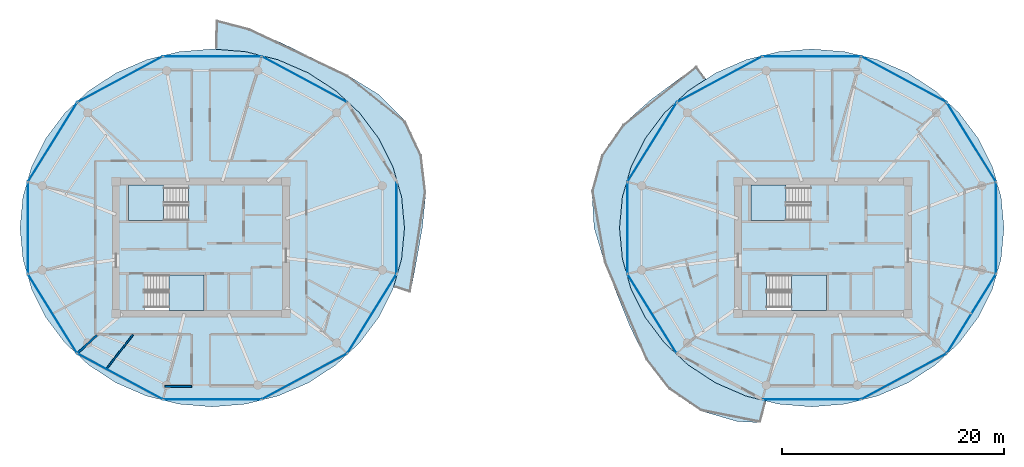
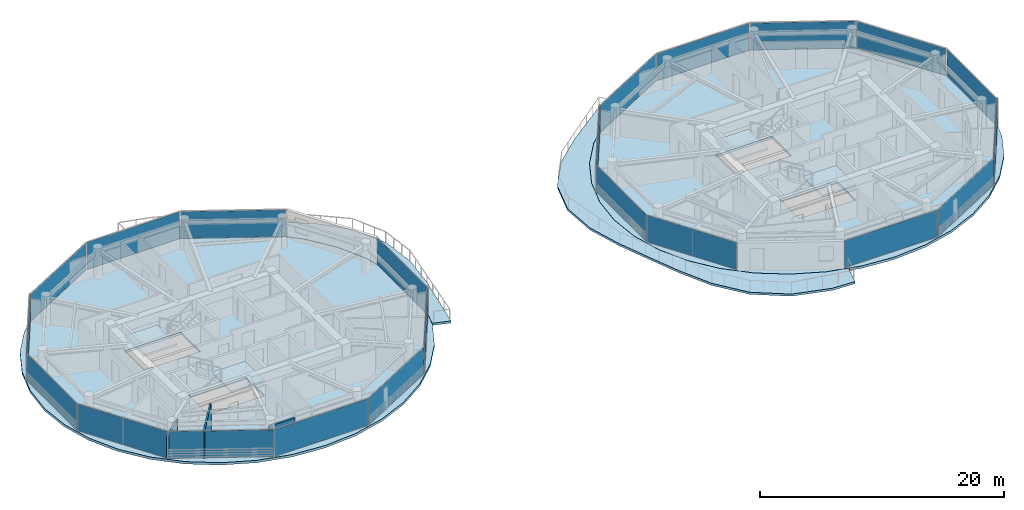
# One storey, part 12 of 21: 22 plates, 8 slabs, 3 walls, 26 elements without a shape of their own.
"""IFC4 building model written with IfcOpenShell, lengths in metres."""

from ifc_helpers import new_model, si_unit, direction, frame, frame_2d, origin, origin_2d, place, context, subcontext, project, spatial, polyline, rectangle, outline, extrude, source, transform, mapped, material, layer, layer_set, type_object, type_shapes, element, aggregate, save


model = new_model("IFC4")

# Units and contexts
model_context = context("Model", 3, precision=1e-05, world=origin(), true_north=direction((0.0, 1.0)))
body_context = subcontext(model_context, "Body", "Model", "MODEL_VIEW")
ifc_project = project(units=[si_unit("LENGTHUNIT", "METRE"), si_unit("AREAUNIT", "SQUARE_METRE"), si_unit("VOLUMEUNIT", "CUBIC_METRE"), si_unit("PLANEANGLEUNIT", "RADIAN"), si_unit("MASSUNIT", "GRAM", prefix="KILO")], contexts=[model_context])

# Site, building, storey
site_placement = place(None, origin())
site = spatial("IfcSite", under=ifc_project, at=site_placement, CompositionType="ELEMENT")
building_placement = place(site_placement, origin())
building = spatial("IfcBuilding", under=site, at=building_placement, Name="Norrkilde Senior Care Towers", CompositionType="ELEMENT")
storey_placement = place(building_placement, frame((0.0, 0.0, 140.39990234375)))
storey = spatial("IfcBuildingStorey", under=building, at=storey_placement, Name="L43", CompositionType="ELEMENT", Elevation=140.39990234375)

# Slabs
ifc_material_1 = material(Name="Concrete C50/60", Category="concrete")
ifc_layer_1 = layer(ifc_material_1, 0.215087890625)
ifc_layer_set_1 = layer_set([ifc_layer_1], Name="Concrete C50/60")
slab_type_1 = type_object("IfcSlabType", Name="Sinusoidal Balcony Ribbon Slab 215", PredefinedType="FLOOR", material=ifc_layer_set_1)
slab_1_placement = place(storey_placement, frame((0.0, 0.0, -0.21484375)))
element("IfcSlab", 1, at=slab_1_placement, inside=storey, type_object=slab_type_1, Name="L43 Drum W Swirling Senior Balcony 1", PredefinedType="FLOOR", context=body_context, shape_type="SweptSolid", body=[
    extrude(outline(polyline([(-10.66162109375, -3.552490234375), (-9.932861328125, -1.021240234375), (-9.669921875, 1.775390625), (-9.932861328125, 4.572021484375), (-10.713623046875, 7.28369140625), (-11.988525390625, 9.827880859375), (-13.718505859375, 12.12744140625), (-15.8515625, 14.112548828125), (-18.322509765625, 15.72265625), (-21.056396484375, 16.9091796875), (-23.969970703125, 17.6357421875), (-26.678955078125, 17.856201171875), (-26.630615234375, 20.486083984375), (-23.631103515625, 19.700927734375), (-20.572265625, 18.338623046875), (-17.677978515625, 16.922607421875), (-14.770751953125, 15.496826171875), (-11.9287109375, 13.74169921875), (-9.560791015625, 11.334228515625), (-8.127197265625, 8.295166015625), (-7.743896484375, 4.98681640625), (-8.068603515625, 1.775390625), (-8.61083984375, -1.271728515625), (-9.13134765625, -4.05224609375), (-10.66162109375, -3.552490234375)])), origin(), (0.0, 0.0, 1.0), 0.21484375),
])
slab_2_placement = place(storey_placement, frame((0.0, 0.0, -0.21484375)))
element("IfcSlab", 2, at=slab_2_placement, inside=storey, type_object=slab_type_1, Name="L43 Drum E Swirling Senior Balcony 1", PredefinedType="FLOOR", context=body_context, shape_type="SweptSolid", body=[
    extrude(outline(polyline([(16.970458984375, -14.68896484375), (14.142333984375, -12.750732421875), (12.064208984375, -10.06884765625), (10.627685546875, -7.12158203125), (9.460693359375, -4.22314453125), (8.31884765625, -1.3271484375), (7.388916015625, 1.775390625), (7.177734375, 5.093994140625), (8.070068359375, 8.317626953125), (9.9833984375, 11.07177734375), (12.44921875, 13.272216796875), (15.019287109375, 15.1787109375), (16.607421875, 16.354248046875), (17.45751953125, 15.158935546875), (15.8515625, 14.112548828125), (13.718505859375, 12.12744140625), (11.988525390625, 9.827880859375), (10.713623046875, 7.28369140625), (9.932861328125, 4.572021484375), (9.669921875, 1.775390625), (9.932861328125, -1.021240234375), (10.713623046875, -3.73291015625), (11.988525390625, -6.277099609375), (13.718505859375, -8.57666015625), (15.8515625, -10.561767578125), (18.322509765625, -12.171875), (21.056396484375, -13.3583984375), (22.87744140625, -13.8125), (22.368408203125, -15.74951171875), (20.283203125, -15.641357421875), (16.970458984375, -14.68896484375)])), origin(), (0.0, 0.0, 1.0), 0.21484375),
])

# Stair, slab
ifc_material_2 = material(Name="Concrete C45/55", Category="concrete")
stair_type = type_object("IfcStairType", Name="Core Protected Dogleg Stair Typical 3050", PredefinedType="HALF_TURN_STAIR", material=ifc_material_2)
stair_1_placement = place(storey_placement, origin())
stair_1 = element("IfcStair", 3, at=stair_1_placement, inside=storey, type_object=stair_type, Name="L43 Protected Core Stair W1", PredefinedType="HALF_TURN_STAIR")
ifc_layer_2 = layer(ifc_material_2, 0.199951171875)
ifc_layer_set_2 = layer_set([ifc_layer_2], Name="Concrete C45/55")
slab_type_2 = type_object("IfcSlabType", Name="Stair Landing Slab 200", PredefinedType="LANDING", material=ifc_layer_set_2)
slab_3_placement = place(storey_placement, frame((0.0, 0.0, 1.3251953125)))
slab_3 = element("IfcSlab", 4, at=slab_3_placement, type_object=slab_type_2, Name="ST-W1 landing 1", PredefinedType="LANDING", context=body_context, shape_type="SweptSolid", body=[
    extrude(outline(polyline([(-31.340087890625, 5.639892578125), (-34.5, 5.639892578125), (-34.5, 2.449951171875), (-31.340087890625, 2.449951171875), (-31.340087890625, 5.639892578125)])), origin(), (0.0, 0.0, 1.0), 0.199951171875),
])
aggregate(stair_1, [slab_3])

stair_2_placement = place(storey_placement, origin())
stair_2 = element("IfcStair", 5, at=stair_2_placement, inside=storey, type_object=stair_type, Name="L43 Protected Core Stair W2", PredefinedType="HALF_TURN_STAIR")
slab_4_placement = place(storey_placement, frame((0.0, 0.0, 1.3251953125)))
slab_4 = element("IfcSlab", 6, at=slab_4_placement, type_object=slab_type_2, Name="ST-W2 landing 1", PredefinedType="LANDING", context=body_context, shape_type="SweptSolid", body=[
    extrude(outline(polyline([(-30.860107421875, -5.639892578125), (-27.699951171875, -5.639892578125), (-27.699951171875, -2.449951171875), (-30.860107421875, -2.449951171875), (-30.860107421875, -5.639892578125)])), origin(), (0.0, 0.0, 1.0), 0.199951171875),
])
aggregate(stair_2, [slab_4])

stair_3_placement = place(storey_placement, origin())
stair_3 = element("IfcStair", 7, at=stair_3_placement, inside=storey, type_object=stair_type, Name="L43 Protected Core Stair E1", PredefinedType="HALF_TURN_STAIR")
slab_5_placement = place(storey_placement, frame((0.0, 0.0, 1.3251953125)))
slab_5 = element("IfcSlab", 8, at=slab_5_placement, type_object=slab_type_2, Name="ST-E1 landing 1", PredefinedType="LANDING", context=body_context, shape_type="SweptSolid", body=[
    extrude(outline(polyline([(24.659912109375, 5.639892578125), (21.5, 5.639892578125), (21.5, 2.449951171875), (24.659912109375, 2.449951171875), (24.659912109375, 5.639892578125)])), origin(), (0.0, 0.0, 1.0), 0.199951171875),
])
aggregate(stair_3, [slab_5])

stair_4_placement = place(storey_placement, origin())
stair_4 = element("IfcStair", 9, at=stair_4_placement, inside=storey, type_object=stair_type, Name="L43 Protected Core Stair E2", PredefinedType="HALF_TURN_STAIR")
slab_6_placement = place(storey_placement, frame((0.0, 0.0, 1.3251953125)))
slab_6 = element("IfcSlab", 10, at=slab_6_placement, type_object=slab_type_2, Name="ST-E2 landing 1", PredefinedType="LANDING", context=body_context, shape_type="SweptSolid", body=[
    extrude(outline(polyline([(25.139892578125, -5.639892578125), (28.300048828125, -5.639892578125), (28.300048828125, -2.449951171875), (25.139892578125, -2.449951171875), (25.139892578125, -5.639892578125)])), origin(), (0.0, 0.0, 1.0), 0.199951171875),
])
aggregate(stair_4, [slab_6])

# Slabs
ifc_layer_3 = layer(ifc_material_1, 0.239990234375)
ifc_layer_set_3 = layer_set([ifc_layer_3], Name="Concrete C50/60")
slab_type_3 = type_object("IfcSlabType", Name="Tower Residence Floor Slab 240", PredefinedType="FLOOR", material=ifc_layer_set_3)
slab_7_placement = place(storey_placement, frame((0.0, 0.0, -0.239990234375)))
element("IfcSlab", 11, at=slab_7_placement, inside=storey, type_object=slab_type_3, Name="L43 Drum W Structural Floor Slab", PredefinedType="FLOOR", context=body_context, shape_type="SweptSolid", body=[
    extrude(outline(polyline([(-10.71826171875, -3.731201171875), (-11.99267578125, -6.274658203125), (-13.722412109375, -8.573486328125), (-15.854736328125, -10.557861328125), (-18.324951171875, -12.167724609375), (-21.05810546875, -13.353759765625), (-23.970947265625, -14.080078125), (-26.97509765625, -14.32470703125), (-29.97900390625, -14.080078125), (-32.891845703125, -13.353759765625), (-35.625, -12.167724609375), (-38.09521484375, -10.557861328125), (-40.2275390625, -8.573486328125), (-41.957275390625, -6.274658203125), (-43.231689453125, -3.731201171875), (-44.01220703125, -1.020263671875), (-44.27490234375, 1.775390625), (-44.01220703125, 4.571044921875), (-43.231689453125, 7.281982421875), (-41.957275390625, 9.825439453125), (-40.2275390625, 12.124267578125), (-38.09521484375, 14.108642578125), (-35.625, 15.71826171875), (-32.891845703125, 16.904296875), (-29.97900390625, 17.630859375), (-26.97509765625, 17.875244140625), (-23.970947265625, 17.630859375), (-21.05810546875, 16.904296875), (-18.324951171875, 15.71826171875), (-15.854736328125, 14.108642578125), (-13.722412109375, 12.124267578125), (-11.99267578125, 9.825439453125), (-10.71826171875, 7.281982421875), (-9.937744140625, 4.571044921875), (-9.675048828125, 1.775390625), (-9.937744140625, -1.020263671875), (-10.71826171875, -3.731201171875)]), holes=[polyline([(-34.48193359375, 2.468017578125), (-29.117919921875, 2.468017578125), (-29.117919921875, 5.639892578125), (-34.48193359375, 5.639892578125), (-34.48193359375, 2.468017578125)]), polyline([(-27.718017578125, -5.639892578125), (-27.718017578125, -2.468017578125), (-33.08203125, -2.468017578125), (-33.08203125, -5.639892578125), (-27.718017578125, -5.639892578125)])]), origin(), (0.0, 0.0, 1.0), 0.239990234375),
])
slab_8_placement = place(storey_placement, frame((0.0, 0.0, -0.239990234375)))
element("IfcSlab", 12, at=slab_8_placement, inside=storey, type_object=slab_type_3, Name="L43 Drum E Structural Floor Slab", PredefinedType="FLOOR", context=body_context, shape_type="SweptSolid", body=[
    extrude(outline(polyline([(43.231689453125, -3.731201171875), (41.957275390625, -6.274658203125), (40.2275390625, -8.573486328125), (38.09521484375, -10.557861328125), (35.625, -12.167724609375), (32.891845703125, -13.353759765625), (29.97900390625, -14.080078125), (26.97509765625, -14.32470703125), (23.970947265625, -14.080078125), (21.05810546875, -13.353759765625), (18.324951171875, -12.167724609375), (15.854736328125, -10.557861328125), (13.722412109375, -8.573486328125), (11.99267578125, -6.274658203125), (10.71826171875, -3.731201171875), (9.937744140625, -1.020263671875), (9.675048828125, 1.775390625), (9.937744140625, 4.571044921875), (10.71826171875, 7.281982421875), (11.99267578125, 9.825439453125), (13.722412109375, 12.124267578125), (15.854736328125, 14.108642578125), (18.324951171875, 15.71826171875), (21.05810546875, 16.904296875), (23.970947265625, 17.630859375), (26.97509765625, 17.875244140625), (29.97900390625, 17.630859375), (32.891845703125, 16.904296875), (35.625, 15.71826171875), (38.09521484375, 14.108642578125), (40.2275390625, 12.124267578125), (41.957275390625, 9.825439453125), (43.231689453125, 7.281982421875), (44.01220703125, 4.571044921875), (44.27490234375, 1.775390625), (44.01220703125, -1.020263671875), (43.231689453125, -3.731201171875)]), holes=[polyline([(21.51806640625, 2.468017578125), (26.882080078125, 2.468017578125), (26.882080078125, 5.639892578125), (21.51806640625, 5.639892578125), (21.51806640625, 2.468017578125)]), polyline([(28.281982421875, -5.639892578125), (28.281982421875, -2.468017578125), (22.91796875, -2.468017578125), (22.91796875, -5.639892578125), (28.281982421875, -5.639892578125)])]), origin(), (0.0, 0.0, 1.0), 0.239990234375),
])

# Curtain wall, plate
ifc_material_3 = material(Name="Triple Low-E Insulated Glazing", Category="glass")
ifc_layer_4 = layer(ifc_material_3, 0.18994140625)
ifc_layer_set_4 = layer_set([ifc_layer_4], Name="Triple Low-E Insulated Glazing")
curtain_wall_type = type_object("IfcCurtainWallType", Name="CW4 Zone 3 Senior Residence Curtain Wall", PredefinedType="NOTDEFINED", material=ifc_layer_set_4)
curtain_wall_1_placement = place(storey_placement, origin())
curtain_wall_1 = element("IfcCurtainWall", 13, at=curtain_wall_1_placement, inside=storey, type_object=curtain_wall_type, Name="L43 Drum W Curtain Wall 04", PredefinedType="NOTDEFINED")
ifc_layer_5 = layer(ifc_material_3, 0.035888671875)
ifc_layer_set_5 = layer_set([ifc_layer_5], Name="Triple Low-E Insulated Glazing")
plate_type = type_object("IfcPlateType", Name="Triple Low-E Vision Curtain Panel 36", PredefinedType="CURTAIN_PANEL", material=ifc_layer_set_5)
shared_shape_1 = source(origin(), body_context, "Body", "SweptSolid", [
    extrude(rectangle(XDim=8.301513671875, YDim=0.035888671875, at=origin_2d()), origin(), (0.0, 0.0, 1.0), 2.68994140625),
])
plate_1_placement = place(storey_placement, frame((-41.346435546875, 9.4931640625, 0.06005859375), z_axis=(0.0, 0.0, 1.0), x_axis=(0.52737270789, 0.84963405474, 0.0)))
plate_1 = element("IfcPlate", 14, at=plate_1_placement, type_object=plate_type, Name="CW-4 panel 1.1", PredefinedType="CURTAIN_PANEL", context=body_context, shape_type="MappedRepresentation", body=[
    mapped(shared_shape_1, transform((0.0, 0.0, 0.0), x_axis=(1.0, 0.0, 0.0), y_axis=(0.0, 1.0, 0.0), z_axis=(0.0, 0.0, 1.0), scale=1.0)),
])
aggregate(curtain_wall_1, [plate_1])

curtain_wall_2_placement = place(storey_placement, origin())
curtain_wall_2 = element("IfcCurtainWall", 15, at=curtain_wall_2_placement, inside=storey, type_object=curtain_wall_type, Name="L43 Drum W Curtain Wall 06", PredefinedType="NOTDEFINED")
plate_2_placement = place(storey_placement, frame((-41.346435546875, -5.9423828125, 0.06005859375), z_axis=(0.0, 0.0, 1.0), x_axis=(-0.52737270789, 0.84963405474, 0.0)))
plate_2 = element("IfcPlate", 16, at=plate_2_placement, type_object=plate_type, Name="CW-4 panel 1.1", PredefinedType="CURTAIN_PANEL", context=body_context, shape_type="MappedRepresentation", body=[
    mapped(shared_shape_1, transform((0.0, 0.0, 0.0), x_axis=(1.0, 0.0, 0.0), y_axis=(0.0, 1.0, 0.0), z_axis=(0.0, 0.0, 1.0), scale=1.0)),
])
aggregate(curtain_wall_2, [plate_2])

curtain_wall_3_placement = place(storey_placement, origin())
curtain_wall_3 = element("IfcCurtainWall", 17, at=curtain_wall_3_placement, inside=storey, type_object=curtain_wall_type, Name="L43 Drum W Curtain Wall 10", PredefinedType="NOTDEFINED")
plate_3_placement = place(storey_placement, frame((-12.603759765625, -5.9423828125, 0.06005859375), z_axis=(0.0, 0.0, 1.0), x_axis=(-0.52737270789, -0.84963405474, 0.0)))
plate_3 = element("IfcPlate", 18, at=plate_3_placement, type_object=plate_type, Name="CW-4 panel 1.1", PredefinedType="CURTAIN_PANEL", context=body_context, shape_type="MappedRepresentation", body=[
    mapped(shared_shape_1, transform((0.0, 0.0, 0.0), x_axis=(1.0, 0.0, 0.0), y_axis=(0.0, 1.0, 0.0), z_axis=(0.0, 0.0, 1.0), scale=1.0)),
])
aggregate(curtain_wall_3, [plate_3])

curtain_wall_4_placement = place(storey_placement, origin())
curtain_wall_4 = element("IfcCurtainWall", 19, at=curtain_wall_4_placement, inside=storey, type_object=curtain_wall_type, Name="L43 Drum E Curtain Wall 00", PredefinedType="NOTDEFINED")
plate_4_placement = place(storey_placement, frame((41.346435546875, 9.4931640625, 0.06005859375), z_axis=(0.0, 0.0, 1.0), x_axis=(0.52737270789, -0.84963405474, 0.0)))
plate_4 = element("IfcPlate", 20, at=plate_4_placement, type_object=plate_type, Name="CW-4 panel 1.1", PredefinedType="CURTAIN_PANEL", context=body_context, shape_type="MappedRepresentation", body=[
    mapped(shared_shape_1, transform((0.0, 0.0, 0.0), x_axis=(1.0, 0.0, 0.0), y_axis=(0.0, 1.0, 0.0), z_axis=(0.0, 0.0, 1.0), scale=1.0)),
])
aggregate(curtain_wall_4, [plate_4])

curtain_wall_5_placement = place(storey_placement, origin())
curtain_wall_5 = element("IfcCurtainWall", 21, at=curtain_wall_5_placement, inside=storey, type_object=curtain_wall_type, Name="L43 Drum E Curtain Wall 04", PredefinedType="NOTDEFINED")
plate_5_placement = place(storey_placement, frame((12.603759765625, 9.4931640625, 0.06005859375), z_axis=(0.0, 0.0, 1.0), x_axis=(0.52737270789, 0.84963405474, 0.0)))
plate_5 = element("IfcPlate", 22, at=plate_5_placement, type_object=plate_type, Name="CW-4 panel 1.1", PredefinedType="CURTAIN_PANEL", context=body_context, shape_type="MappedRepresentation", body=[
    mapped(shared_shape_1, transform((0.0, 0.0, 0.0), x_axis=(1.0, 0.0, 0.0), y_axis=(0.0, 1.0, 0.0), z_axis=(0.0, 0.0, 1.0), scale=1.0)),
])
aggregate(curtain_wall_5, [plate_5])

curtain_wall_6_placement = place(storey_placement, origin())
curtain_wall_6 = element("IfcCurtainWall", 23, at=curtain_wall_6_placement, inside=storey, type_object=curtain_wall_type, Name="L43 Drum E Curtain Wall 06", PredefinedType="NOTDEFINED")
plate_6_placement = place(storey_placement, frame((12.603759765625, -5.9423828125, 0.06005859375), z_axis=(0.0, 0.0, 1.0), x_axis=(-0.52737270789, 0.84963405474, 0.0)))
plate_6 = element("IfcPlate", 24, at=plate_6_placement, type_object=plate_type, Name="CW-4 panel 1.1", PredefinedType="CURTAIN_PANEL", context=body_context, shape_type="MappedRepresentation", body=[
    mapped(shared_shape_1, transform((0.0, 0.0, 0.0), x_axis=(1.0, 0.0, 0.0), y_axis=(0.0, 1.0, 0.0), z_axis=(0.0, 0.0, 1.0), scale=1.0)),
])
aggregate(curtain_wall_6, [plate_6])

curtain_wall_7_placement = place(storey_placement, origin())
curtain_wall_7 = element("IfcCurtainWall", 25, at=curtain_wall_7_placement, inside=storey, type_object=curtain_wall_type, Name="L43 Drum E Curtain Wall 10", PredefinedType="NOTDEFINED")
plate_7_placement = place(storey_placement, frame((41.346435546875, -5.9423828125, 0.06005859375), z_axis=(0.0, 0.0, 1.0), x_axis=(-0.52737270789, -0.84963405474, 0.0)))
plate_7 = element("IfcPlate", 26, at=plate_7_placement, type_object=plate_type, Name="CW-4 panel 1.1", PredefinedType="CURTAIN_PANEL", context=body_context, shape_type="MappedRepresentation", body=[
    mapped(shared_shape_1, transform((0.0, 0.0, 0.0), x_axis=(1.0, 0.0, 0.0), y_axis=(0.0, 1.0, 0.0), z_axis=(0.0, 0.0, 1.0), scale=1.0)),
])
aggregate(curtain_wall_7, [plate_7])

curtain_wall_8_placement = place(storey_placement, origin())
curtain_wall_8 = element("IfcCurtainWall", 27, at=curtain_wall_8_placement, inside=storey, type_object=curtain_wall_type, Name="L43 Drum W Curtain Wall 01", PredefinedType="NOTDEFINED")
shared_shape_2 = source(origin(), body_context, "Body", "SweptSolid", [
    extrude(rectangle(XDim=8.61181640625, YDim=0.035888671875, at=origin_2d()), origin(), (0.0, 0.0, 1.0), 2.68994140625),
])
plate_8_placement = place(storey_placement, frame((-18.677734375, 15.142822265625, 0.06005859375), z_axis=(0.0, 0.0, 1.0), x_axis=(0.880999524059, -0.47311715104, 0.0)))
plate_8 = element("IfcPlate", 28, at=plate_8_placement, type_object=plate_type, Name="CW-4 panel 1.1", PredefinedType="CURTAIN_PANEL", context=body_context, shape_type="MappedRepresentation", body=[
    mapped(shared_shape_2, transform((0.0, 0.0, 0.0), x_axis=(1.0, 0.0, 0.0), y_axis=(0.0, 1.0, 0.0), z_axis=(0.0, 0.0, 1.0), scale=1.0)),
])
aggregate(curtain_wall_8, [plate_8])

curtain_wall_9_placement = place(storey_placement, origin())
curtain_wall_9 = element("IfcCurtainWall", 29, at=curtain_wall_9_placement, inside=storey, type_object=curtain_wall_type, Name="L43 Drum W Curtain Wall 03", PredefinedType="NOTDEFINED")
plate_9_placement = place(storey_placement, frame((-35.272216796875, 15.142822265625, 0.06005859375), z_axis=(0.0, 0.0, 1.0), x_axis=(0.880999524059, 0.47311715104, 0.0)))
plate_9 = element("IfcPlate", 30, at=plate_9_placement, type_object=plate_type, Name="CW-4 panel 1.1", PredefinedType="CURTAIN_PANEL", context=body_context, shape_type="MappedRepresentation", body=[
    mapped(shared_shape_2, transform((0.0, 0.0, 0.0), x_axis=(1.0, 0.0, 0.0), y_axis=(0.0, 1.0, 0.0), z_axis=(0.0, 0.0, 1.0), scale=1.0)),
])
aggregate(curtain_wall_9, [plate_9])

curtain_wall_10_placement = place(storey_placement, origin())
curtain_wall_10 = element("IfcCurtainWall", 31, at=curtain_wall_10_placement, inside=storey, type_object=curtain_wall_type, Name="L43 Drum W Curtain Wall 07", PredefinedType="NOTDEFINED")
plate_10_placement = place(storey_placement, frame((-35.272216796875, -11.59228515625, 0.06005859375), z_axis=(0.0, 0.0, 1.0), x_axis=(-0.880999524059, 0.47311715104, 0.0)))
plate_10 = element("IfcPlate", 32, at=plate_10_placement, type_object=plate_type, Name="CW-4 panel 1.1", PredefinedType="CURTAIN_PANEL", context=body_context, shape_type="MappedRepresentation", body=[
    mapped(shared_shape_2, transform((0.0, 0.0, 0.0), x_axis=(1.0, 0.0, 0.0), y_axis=(0.0, 1.0, 0.0), z_axis=(0.0, 0.0, 1.0), scale=1.0)),
])
aggregate(curtain_wall_10, [plate_10])

curtain_wall_11_placement = place(storey_placement, origin())
curtain_wall_11 = element("IfcCurtainWall", 33, at=curtain_wall_11_placement, inside=storey, type_object=curtain_wall_type, Name="L43 Drum W Curtain Wall 09", PredefinedType="NOTDEFINED")
plate_11_placement = place(storey_placement, frame((-18.677734375, -11.59228515625, 0.06005859375), z_axis=(0.0, 0.0, 1.0), x_axis=(-0.880999524059, -0.47311715104, 0.0)))
plate_11 = element("IfcPlate", 34, at=plate_11_placement, type_object=plate_type, Name="CW-4 panel 1.1", PredefinedType="CURTAIN_PANEL", context=body_context, shape_type="MappedRepresentation", body=[
    mapped(shared_shape_2, transform((0.0, 0.0, 0.0), x_axis=(1.0, 0.0, 0.0), y_axis=(0.0, 1.0, 0.0), z_axis=(0.0, 0.0, 1.0), scale=1.0)),
])
aggregate(curtain_wall_11, [plate_11])

curtain_wall_12_placement = place(storey_placement, origin())
curtain_wall_12 = element("IfcCurtainWall", 35, at=curtain_wall_12_placement, inside=storey, type_object=curtain_wall_type, Name="L43 Drum E Curtain Wall 01", PredefinedType="NOTDEFINED")
plate_12_placement = place(storey_placement, frame((35.272216796875, 15.142822265625, 0.06005859375), z_axis=(0.0, 0.0, 1.0), x_axis=(0.880999524059, -0.47311715104, 0.0)))
plate_12 = element("IfcPlate", 36, at=plate_12_placement, type_object=plate_type, Name="CW-4 panel 1.1", PredefinedType="CURTAIN_PANEL", context=body_context, shape_type="MappedRepresentation", body=[
    mapped(shared_shape_2, transform((0.0, 0.0, 0.0), x_axis=(1.0, 0.0, 0.0), y_axis=(0.0, 1.0, 0.0), z_axis=(0.0, 0.0, 1.0), scale=1.0)),
])
aggregate(curtain_wall_12, [plate_12])

curtain_wall_13_placement = place(storey_placement, origin())
curtain_wall_13 = element("IfcCurtainWall", 37, at=curtain_wall_13_placement, inside=storey, type_object=curtain_wall_type, Name="L43 Drum E Curtain Wall 03", PredefinedType="NOTDEFINED")
plate_13_placement = place(storey_placement, frame((18.677734375, 15.142822265625, 0.06005859375), z_axis=(0.0, 0.0, 1.0), x_axis=(0.880999524059, 0.47311715104, 0.0)))
plate_13 = element("IfcPlate", 38, at=plate_13_placement, type_object=plate_type, Name="CW-4 panel 1.1", PredefinedType="CURTAIN_PANEL", context=body_context, shape_type="MappedRepresentation", body=[
    mapped(shared_shape_2, transform((0.0, 0.0, 0.0), x_axis=(1.0, 0.0, 0.0), y_axis=(0.0, 1.0, 0.0), z_axis=(0.0, 0.0, 1.0), scale=1.0)),
])
aggregate(curtain_wall_13, [plate_13])

curtain_wall_14_placement = place(storey_placement, origin())
curtain_wall_14 = element("IfcCurtainWall", 39, at=curtain_wall_14_placement, inside=storey, type_object=curtain_wall_type, Name="L43 Drum E Curtain Wall 09", PredefinedType="NOTDEFINED")
plate_14_placement = place(storey_placement, frame((35.272216796875, -11.59228515625, 0.06005859375), z_axis=(0.0, 0.0, 1.0), x_axis=(-0.880999524059, -0.47311715104, 0.0)))
plate_14 = element("IfcPlate", 40, at=plate_14_placement, type_object=plate_type, Name="CW-4 panel 1.1", PredefinedType="CURTAIN_PANEL", context=body_context, shape_type="MappedRepresentation", body=[
    mapped(shared_shape_2, transform((0.0, 0.0, 0.0), x_axis=(1.0, 0.0, 0.0), y_axis=(0.0, 1.0, 0.0), z_axis=(0.0, 0.0, 1.0), scale=1.0)),
])
aggregate(curtain_wall_14, [plate_14])

curtain_wall_15_placement = place(storey_placement, origin())
curtain_wall_15 = element("IfcCurtainWall", 41, at=curtain_wall_15_placement, inside=storey, type_object=curtain_wall_type, Name="L43 Drum W Curtain Wall 02", PredefinedType="NOTDEFINED")
shared_shape_3 = source(origin(), body_context, "Body", "SweptSolid", [
    extrude(rectangle(XDim=8.762939453125, YDim=0.035888671875, at=origin_2d()), origin(), (0.0, 0.0, 1.0), 2.68994140625),
])
plate_15_placement = place(storey_placement, frame((-26.97509765625, 17.2109375, 0.06005859375), z_axis=(0.0, 0.0, 1.0), x_axis=(1.0, 0.0, 0.0)))
plate_15 = element("IfcPlate", 42, at=plate_15_placement, type_object=plate_type, Name="CW-4 panel 1.1", PredefinedType="CURTAIN_PANEL", context=body_context, shape_type="MappedRepresentation", body=[
    mapped(shared_shape_3, transform((0.0, 0.0, 0.0), x_axis=(1.0, 0.0, 0.0), y_axis=(0.0, 1.0, 0.0), z_axis=(0.0, 0.0, 1.0), scale=1.0)),
])
aggregate(curtain_wall_15, [plate_15])

curtain_wall_16_placement = place(storey_placement, origin())
curtain_wall_16 = element("IfcCurtainWall", 43, at=curtain_wall_16_placement, inside=storey, type_object=curtain_wall_type, Name="L43 Drum W Curtain Wall 08", PredefinedType="NOTDEFINED")
plate_16_placement = place(storey_placement, frame((-26.97509765625, -13.66015625, 0.06005859375), z_axis=(0.0, 0.0, 1.0), x_axis=(-1.0, 0.0, 0.0)))
plate_16 = element("IfcPlate", 44, at=plate_16_placement, type_object=plate_type, Name="CW-4 panel 1.1", PredefinedType="CURTAIN_PANEL", context=body_context, shape_type="MappedRepresentation", body=[
    mapped(shared_shape_3, transform((0.0, 0.0, 0.0), x_axis=(1.0, 0.0, 0.0), y_axis=(0.0, 1.0, 0.0), z_axis=(0.0, 0.0, 1.0), scale=1.0)),
])
aggregate(curtain_wall_16, [plate_16])

curtain_wall_17_placement = place(storey_placement, origin())
curtain_wall_17 = element("IfcCurtainWall", 45, at=curtain_wall_17_placement, inside=storey, type_object=curtain_wall_type, Name="L43 Drum E Curtain Wall 02", PredefinedType="NOTDEFINED")
plate_17_placement = place(storey_placement, frame((26.97509765625, 17.2109375, 0.06005859375), z_axis=(0.0, 0.0, 1.0), x_axis=(1.0, 0.0, 0.0)))
plate_17 = element("IfcPlate", 46, at=plate_17_placement, type_object=plate_type, Name="CW-4 panel 1.1", PredefinedType="CURTAIN_PANEL", context=body_context, shape_type="MappedRepresentation", body=[
    mapped(shared_shape_3, transform((0.0, 0.0, 0.0), x_axis=(1.0, 0.0, 0.0), y_axis=(0.0, 1.0, 0.0), z_axis=(0.0, 0.0, 1.0), scale=1.0)),
])
aggregate(curtain_wall_17, [plate_17])

curtain_wall_18_placement = place(storey_placement, origin())
curtain_wall_18 = element("IfcCurtainWall", 47, at=curtain_wall_18_placement, inside=storey, type_object=curtain_wall_type, Name="L43 Drum E Curtain Wall 08", PredefinedType="NOTDEFINED")
plate_18_placement = place(storey_placement, frame((26.97509765625, -13.66015625, 0.06005859375), z_axis=(0.0, 0.0, 1.0), x_axis=(-1.0, 0.0, 0.0)))
plate_18 = element("IfcPlate", 48, at=plate_18_placement, type_object=plate_type, Name="CW-4 panel 1.1", PredefinedType="CURTAIN_PANEL", context=body_context, shape_type="MappedRepresentation", body=[
    mapped(shared_shape_3, transform((0.0, 0.0, 0.0), x_axis=(1.0, 0.0, 0.0), y_axis=(0.0, 1.0, 0.0), z_axis=(0.0, 0.0, 1.0), scale=1.0)),
])
aggregate(curtain_wall_18, [plate_18])

curtain_wall_19_placement = place(storey_placement, origin())
curtain_wall_19 = element("IfcCurtainWall", 49, at=curtain_wall_19_placement, inside=storey, type_object=curtain_wall_type, Name="L43 Drum W Curtain Wall 05", PredefinedType="NOTDEFINED")
shared_shape_4 = source(origin(), body_context, "Body", "SweptSolid", [
    extrude(rectangle(XDim=8.141845703125, YDim=0.035888671875, at=origin_2d()), origin(), (0.0, 0.0, 1.0), 2.68994140625),
])
type_shapes(plate_type, [shared_shape_1, shared_shape_2, shared_shape_3, shared_shape_4])
plate_19_placement = place(storey_placement, frame((-43.569580078125, 1.775390625, 0.06005859375), z_axis=(0.0, 0.0, 1.0), x_axis=(0.0, 1.0, 0.0)))
plate_19 = element("IfcPlate", 50, at=plate_19_placement, type_object=plate_type, Name="CW-4 panel 1.1", PredefinedType="CURTAIN_PANEL", context=body_context, shape_type="MappedRepresentation", body=[
    mapped(shared_shape_4, transform((0.0, 0.0, 0.0), x_axis=(1.0, 0.0, 0.0), y_axis=(0.0, 1.0, 0.0), z_axis=(0.0, 0.0, 1.0), scale=1.0)),
])
aggregate(curtain_wall_19, [plate_19])

curtain_wall_20_placement = place(storey_placement, origin())
curtain_wall_20 = element("IfcCurtainWall", 51, at=curtain_wall_20_placement, inside=storey, type_object=curtain_wall_type, Name="L43 Drum W Curtain Wall 11", PredefinedType="NOTDEFINED")
plate_20_placement = place(storey_placement, frame((-10.38037109375, 1.775390625, 0.06005859375), z_axis=(0.0, 0.0, 1.0), x_axis=(0.0, -1.0, 0.0)))
plate_20 = element("IfcPlate", 52, at=plate_20_placement, type_object=plate_type, Name="CW-4 panel 1.1", PredefinedType="CURTAIN_PANEL", context=body_context, shape_type="MappedRepresentation", body=[
    mapped(shared_shape_4, transform((0.0, 0.0, 0.0), x_axis=(1.0, 0.0, 0.0), y_axis=(0.0, 1.0, 0.0), z_axis=(0.0, 0.0, 1.0), scale=1.0)),
])
aggregate(curtain_wall_20, [plate_20])

curtain_wall_21_placement = place(storey_placement, origin())
curtain_wall_21 = element("IfcCurtainWall", 53, at=curtain_wall_21_placement, inside=storey, type_object=curtain_wall_type, Name="L43 Drum E Curtain Wall 05", PredefinedType="NOTDEFINED")
plate_21_placement = place(storey_placement, frame((10.38037109375, 1.775390625, 0.06005859375), z_axis=(0.0, 0.0, 1.0), x_axis=(0.0, 1.0, 0.0)))
plate_21 = element("IfcPlate", 54, at=plate_21_placement, type_object=plate_type, Name="CW-4 panel 1.1", PredefinedType="CURTAIN_PANEL", context=body_context, shape_type="MappedRepresentation", body=[
    mapped(shared_shape_4, transform((0.0, 0.0, 0.0), x_axis=(1.0, 0.0, 0.0), y_axis=(0.0, 1.0, 0.0), z_axis=(0.0, 0.0, 1.0), scale=1.0)),
])
aggregate(curtain_wall_21, [plate_21])

curtain_wall_22_placement = place(storey_placement, origin())
curtain_wall_22 = element("IfcCurtainWall", 55, at=curtain_wall_22_placement, inside=storey, type_object=curtain_wall_type, Name="L43 Drum E Curtain Wall 11", PredefinedType="NOTDEFINED")
plate_22_placement = place(storey_placement, frame((43.569580078125, 1.775390625, 0.06005859375), z_axis=(0.0, 0.0, 1.0), x_axis=(0.0, -1.0, 0.0)))
plate_22 = element("IfcPlate", 56, at=plate_22_placement, type_object=plate_type, Name="CW-4 panel 1.1", PredefinedType="CURTAIN_PANEL", context=body_context, shape_type="MappedRepresentation", body=[
    mapped(shared_shape_4, transform((0.0, 0.0, 0.0), x_axis=(1.0, 0.0, 0.0), y_axis=(0.0, 1.0, 0.0), z_axis=(0.0, 0.0, 1.0), scale=1.0)),
])
aggregate(curtain_wall_22, [plate_22])

# Walls
ifc_material_4 = material(Name="Gypsum Acoustic Board")
ifc_layer_6 = layer(ifc_material_4, 0.1650390625)
ifc_layer_set_6 = layer_set([ifc_layer_6], Name="Gypsum Acoustic Board")
wall_type_1 = type_object("IfcWallType", Name="Corridor Rated Partition 165", PredefinedType="PARTITIONING", material=ifc_layer_set_6)
shared_shape_5 = source(origin(), body_context, "Body", "SweptSolid", [
    extrude(rectangle(XDim=2.418701171875, YDim=0.1650390625, at=frame_2d((1.20947265625, 0.0))), origin(), (0.0, 0.0, 1.0), 2.34521484375),
])
type_shapes(wall_type_1, [shared_shape_5])
wall_1_placement = place(storey_placement, frame((-31.23876953125, -12.484619140625, 0.0), z_axis=(0.0, 0.0, 1.0), x_axis=(1.0, 0.0, 0.0)))
element("IfcWall", 57, at=wall_1_placement, inside=storey, type_object=wall_type_1, Name="WL-INT-L43-W-PKH-SWL-0", PredefinedType="PARTITIONING", context=body_context, shape_type="MappedRepresentation", body=[
    mapped(shared_shape_5, transform((0.0, 0.0, 0.0), x_axis=(1.0, 0.0, 0.0), y_axis=(0.0, 1.0, 0.0), z_axis=(0.0, 0.0, 1.0), scale=1.0)),
])
ifc_layer_7 = layer(ifc_material_4, 0.18994140625)
ifc_layer_set_7 = layer_set([ifc_layer_7], Name="Gypsum Acoustic Board")
wall_type_2 = type_object("IfcWallType", Name="Unit Demising Acoustic Wall 190", PredefinedType="PARTITIONING", material=ifc_layer_set_7)
shared_shape_6 = source(origin(), body_context, "Body", "SweptSolid", [
    extrude(rectangle(XDim=2.434814453125, YDim=0.18994140625, at=frame_2d((1.21728515625, 0.0))), origin(), (0.0, 0.0, 1.0), 2.34521484375),
])
type_shapes(wall_type_2, [shared_shape_6])
wall_2_placement = place(storey_placement, frame((-37.3544921875, -7.8798828125, 0.0), z_axis=(0.0, 0.0, 1.0), x_axis=(-0.732164643118, -0.681127693878, 0.0)))
element("IfcWall", 58, at=wall_2_placement, inside=storey, type_object=wall_type_2, Name="WL-INT-L43-W-DEM-07-0", PredefinedType="PARTITIONING", context=body_context, shape_type="MappedRepresentation", body=[
    mapped(shared_shape_6, transform((0.0, 0.0, 0.0), x_axis=(1.0, 0.0, 0.0), y_axis=(0.0, 1.0, 0.0), z_axis=(0.0, 0.0, 1.0), scale=1.0)),
])
ifc_layer_8 = layer(ifc_material_4, 0.139892578125)
ifc_layer_set_8 = layer_set([ifc_layer_8], Name="Gypsum Acoustic Board")
wall_type_3 = type_object("IfcWallType", Name="En-suite Wet Room Wall 140", PredefinedType="PARTITIONING", material=ifc_layer_set_8)
shared_shape_7 = source(origin(), body_context, "Body", "SweptSolid", [
    extrude(rectangle(XDim=3.9365234375, YDim=0.139892578125, at=frame_2d((1.96826171875, 0.0))), origin(), (0.0, 0.0, 1.0), 2.795166015625),
])
type_shapes(wall_type_3, [shared_shape_7])
wall_3_placement = place(storey_placement, frame((-34.1103515625, -7.830078125, 0.0), z_axis=(0.0, 0.0, 1.0), x_axis=(-0.611016723561, -0.791617687731, 0.0)))
element("IfcWall", 59, at=wall_3_placement, inside=storey, type_object=wall_type_3, Name="WL-INT-L43-W-MID-07", PredefinedType="PARTITIONING", context=body_context, shape_type="MappedRepresentation", body=[
    mapped(shared_shape_7, transform((0.0, 0.0, 0.0), x_axis=(1.0, 0.0, 0.0), y_axis=(0.0, 1.0, 0.0), z_axis=(0.0, 0.0, 1.0), scale=1.0)),
])

save(model, "model.ifc")
